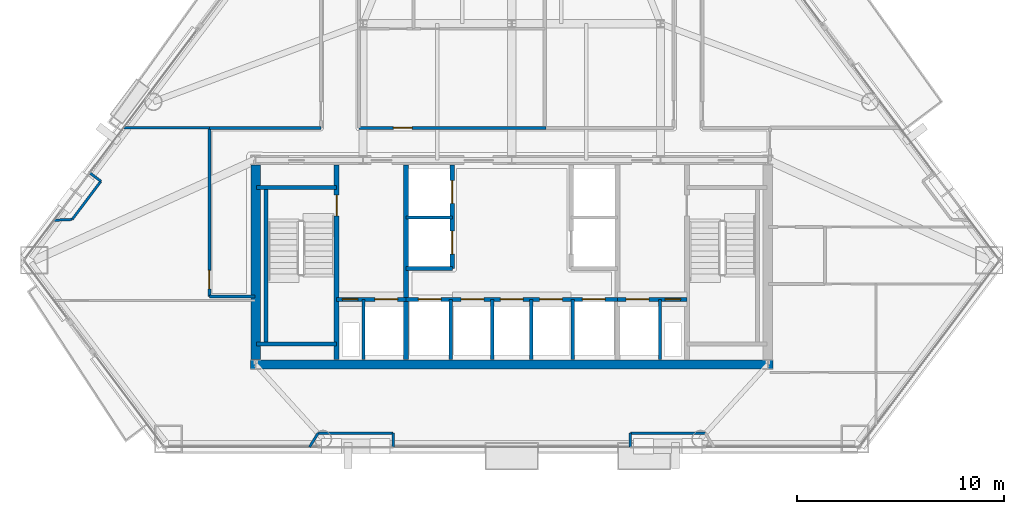
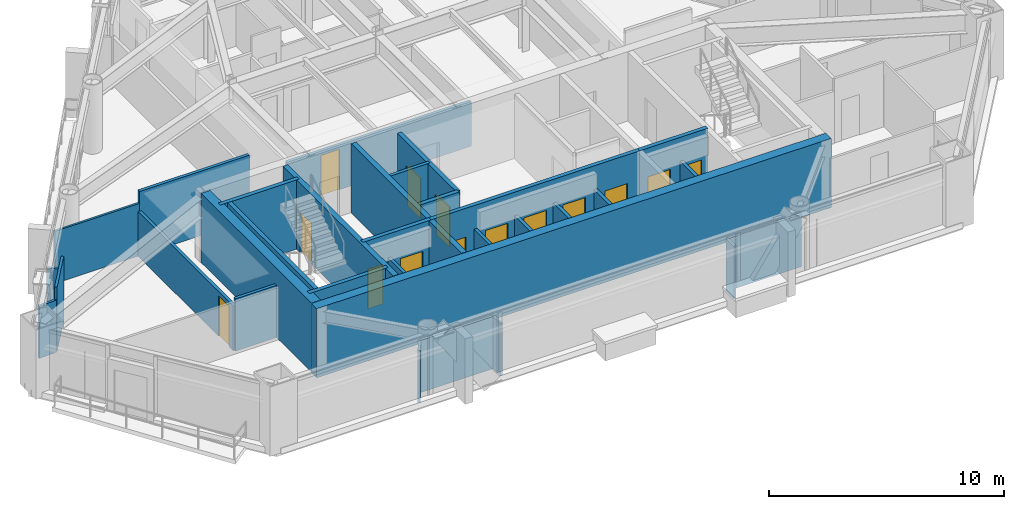
# One storey, part 6 of 10: 32 walls, 14 doors, 14 openings.
"""IFC4 building model written with IfcOpenShell, lengths in metres."""

from ifc_helpers import new_model, si_unit, direction, frame, frame_2d, origin, place, context, subcontext, project, spatial, rectangle, extrude, material, layer, layer_set, type_object, element, fill, save


model = new_model("IFC4")

# Units and contexts
model_context = context("Model", 3, precision=1e-05, world=origin(), true_north=direction((0.0, 1.0)))
body_context = subcontext(model_context, "Body", "Model", "MODEL_VIEW")
ifc_project = project(units=[si_unit("LENGTHUNIT", "METRE"), si_unit("AREAUNIT", "SQUARE_METRE"), si_unit("VOLUMEUNIT", "CUBIC_METRE"), si_unit("PLANEANGLEUNIT", "RADIAN"), si_unit("MASSUNIT", "GRAM", prefix="KILO")], contexts=[model_context])

# Site, building, storey
site_placement = place(None, origin())
site = spatial("IfcSite", under=ifc_project, at=site_placement, CompositionType="ELEMENT")
building_placement = place(site_placement, origin())
building = spatial("IfcBuilding", under=site, at=building_placement, Name="Talgorran Terracotta Tower", CompositionType="ELEMENT")
storey_placement = place(building_placement, frame((0.0, 0.0, 82.800048828125)))
storey = spatial("IfcBuildingStorey", under=building, at=storey_placement, Name="L21", CompositionType="ELEMENT", Elevation=82.800048828125)

# Walls
ifc_material_1 = material(Name="Concrete C50/60", Category="concrete")
ifc_layer_1 = layer(ifc_material_1, 0.199951171875, Name="WT_CORE_200")
ifc_layer_set_1 = layer_set([ifc_layer_1], Name="Concrete C50/60")
wall_type_1 = type_object("IfcWallType", Name="WT_CORE_200", PredefinedType="SOLIDWALL", material=ifc_layer_set_1)
for number, where, z_axis, x_axis, name in (
    (1, (-12.35009765625, -5.52001953125, 0.0), (0.0, 0.0, 1.0), (1.0, 0.0, 0.0), "WL-L21-CW-ST1-N"),
    (2, (-12.35009765625, -13.10009765625, 0.0), (0.0, 0.0, 1.0), (1.0, 0.0, 0.0), "WL-L21-CW-ST1-S"),
):
    element("IfcWall", number, at=place(storey_placement, frame(where, z_axis=z_axis, x_axis=x_axis)), inside=storey, type_object=wall_type_1, Name=name, PredefinedType="SOLIDWALL", context=body_context, shape_type="SweptSolid", body=[
        extrude(rectangle(XDim=3.8701171875, YDim=0.199951171875, at=frame_2d((1.93505859375, 0.0))), origin(), (0.0, 0.0, 1.0), 3.599853515625),
    ])
wall_1_placement = place(storey_placement, frame((-11.89990234375, -13.10009765625, 0.0), z_axis=(0.0, 0.0, 1.0), x_axis=(0.0, 1.0, 0.0)))
element("IfcWall", 3, at=wall_1_placement, inside=storey, type_object=wall_type_1, Name="WL-L21-CW-ST1-W", PredefinedType="SOLIDWALL", context=body_context, shape_type="SweptSolid", body=[
    extrude(rectangle(XDim=7.580078125, YDim=0.199951171875, at=frame_2d((3.7900390625, 0.0))), origin(), (0.0, 0.0, 1.0), 3.599853515625),
])

# Wall, openings, doors
wall_2_placement = place(storey_placement, frame((-8.47998046875, -10.949951171875, 0.0), z_axis=(0.0, 0.0, 1.0), x_axis=(1.0, 0.0, 0.0)))
wall_2 = element("IfcWall", 4, at=wall_2_placement, inside=storey, type_object=wall_type_1, Name="WL-L21-CW-H-SBW", PredefinedType="SOLIDWALL", context=body_context, shape_type="SweptSolid", body=[
    extrude(rectangle(XDim=3.35986328125, YDim=0.199951171875, at=frame_2d((1.679931640625, 0.0))), origin(), (0.0, 0.0, 1.0), 3.599853515625),
])
opening_1_placement = place(wall_2_placement, frame((0.280029296875, 0.0, 0.0)))
opening_1 = element("IfcOpeningElement", 5, at=opening_1_placement, cuts=wall_2, Name="Opening DR-RSW", PredefinedType="OPENING", context=body_context, shape_type="SweptSolid", body=[
    extrude(rectangle(XDim=0.756, YDim=2.054048828125, at=frame_2d((0.375, 1.027099609375))), frame((0.0, 0.10986328125, 0.0), z_axis=(0.0, -1.0, 0.0), x_axis=(1.0, 0.0, 0.0)), (0.0, 0.0, 1.0), 0.219970703125),
])
opening_2_placement = place(wall_2_placement, frame((1.85009765625, 0.0, 0.0)))
opening_2 = element("IfcOpeningElement", 6, at=opening_2_placement, cuts=wall_2, Name="Opening LD-FFL1", PredefinedType="OPENING", context=body_context, shape_type="SweptSolid", body=[
    extrude(rectangle(XDim=1.10609765625, YDim=2.10409765625, at=frame_2d((0.550048828125, 1.052001953125))), frame((0.0, 0.10986328125, 0.0), z_axis=(0.0, -1.0, 0.0), x_axis=(1.0, 0.0, 0.0)), (0.0, 0.0, 1.0), 0.219970703125),
])
ifc_material_2 = material(Name="Brushed Stainless Steel Grade 304", Category="steel")
door_type_1 = type_object("IfcDoorType", Name="DT_LIFT_LD1100", OperationType="DOUBLE_DOOR_SLIDING", PredefinedType="DOOR", material=ifc_material_2)
door_1_placement = place(opening_2_placement, origin())
door_1 = element("IfcDoor", 7, at=door_1_placement, inside=storey, type_object=door_type_1, Name="L21 Lift Landing Door LD-FFL1", OperationType="DOUBLE_DOOR_SLIDING", OverallHeight=2.10009765625, OverallWidth=1.10009765625, PredefinedType="DOOR", context=body_context, shape_type="SweptSolid", body=[
    extrude(rectangle(XDim=1.10009765625, YDim=2.10009765625, at=frame_2d((0.550048828125, 1.050048828125))), frame((0.0, 0.02490234375, 0.0), z_axis=(0.0, -1.0, 0.0), x_axis=(1.0, 0.0, 0.0)), (0.0, 0.0, 1.0), 0.050048828125),
])
fill(opening_2, door_1)
ifc_material_3 = material(Name="Fire-Rated Pressed Steel", Category="steel")
door_type_2 = type_object("IfcDoorType", Name="DT_RISER_750", OperationType="NOTDEFINED", PredefinedType="DOOR", material=ifc_material_3)
door_2_placement = place(opening_1_placement, origin())
door_2 = element("IfcDoor", 8, at=door_2_placement, inside=storey, type_object=door_type_2, Name="DR-RSW", OperationType="SINGLE_SWING_LEFT", OverallHeight=2.050048828125, OverallWidth=0.75, PredefinedType="DOOR", context=body_context, shape_type="SweptSolid", body=[
    extrude(rectangle(XDim=0.75, YDim=2.050048828125, at=frame_2d((0.375, 1.02490234375))), frame((0.0, 0.02490234375, 0.0), z_axis=(0.0, -1.0, 0.0), x_axis=(1.0, 0.0, 0.0)), (0.0, 0.0, 1.0), 0.050048828125),
])
fill(opening_1, door_2)

wall_3_placement = place(storey_placement, frame((-5.1201171875, -10.949951171875, 0.0), z_axis=(0.0, 0.0, 1.0), x_axis=(1.0, 0.0, 0.0)))
wall_3 = element("IfcWall", 9, at=wall_3_placement, inside=storey, type_object=wall_type_1, Name="WL-L21-CW-H-SBC", PredefinedType="SOLIDWALL", context=body_context, shape_type="SweptSolid", body=[
    extrude(rectangle(XDim=10.240234375, YDim=0.199951171875, at=frame_2d((5.1201171875, 0.0))), origin(), (0.0, 0.0, 1.0), 3.599853515625),
])
opening_3_placement = place(wall_3_placement, frame((0.60009765625, 0.0, 0.0)))
opening_3 = element("IfcOpeningElement", 10, at=opening_3_placement, cuts=wall_3, Name="Opening LD-OB1", PredefinedType="OPENING", context=body_context, shape_type="SweptSolid", body=[
    extrude(rectangle(XDim=1.10609765625, YDim=2.10409765625, at=frame_2d((0.550048828125, 1.052001953125))), frame((0.0, 0.10986328125, 0.0), z_axis=(0.0, -1.0, 0.0), x_axis=(1.0, 0.0, 0.0)), (0.0, 0.0, 1.0), 0.219970703125),
])
opening_4_placement = place(wall_3_placement, frame((2.669921875, 0.0, 0.0)))
opening_4 = element("IfcOpeningElement", 11, at=opening_4_placement, cuts=wall_3, Name="Opening LD-PLH1", PredefinedType="OPENING", context=body_context, shape_type="SweptSolid", body=[
    extrude(rectangle(XDim=1.10609765625, YDim=2.10409765625, at=frame_2d((0.550048828125, 1.052001953125))), frame((0.0, 0.10986328125, 0.0), z_axis=(0.0, -1.0, 0.0), x_axis=(1.0, 0.0, 0.0)), (0.0, 0.0, 1.0), 0.219970703125),
])
opening_5_placement = place(wall_3_placement, frame((4.570068359375, 0.0, 0.0)))
opening_5 = element("IfcOpeningElement", 12, at=opening_5_placement, cuts=wall_3, Name="Opening LD-PLH2", PredefinedType="OPENING", context=body_context, shape_type="SweptSolid", body=[
    extrude(rectangle(XDim=1.10609765625, YDim=2.10409765625, at=frame_2d((0.550048828125, 1.052001953125))), frame((0.0, 0.10986328125, 0.0), z_axis=(0.0, -1.0, 0.0), x_axis=(1.0, 0.0, 0.0)), (0.0, 0.0, 1.0), 0.219970703125),
])
opening_6_placement = place(wall_3_placement, frame((6.469970703125, 0.0, 0.0)))
opening_6 = element("IfcOpeningElement", 13, at=opening_6_placement, cuts=wall_3, Name="Opening LD-PLH3", PredefinedType="OPENING", context=body_context, shape_type="SweptSolid", body=[
    extrude(rectangle(XDim=1.10609765625, YDim=2.10409765625, at=frame_2d((0.550048828125, 1.052001953125))), frame((0.0, 0.10986328125, 0.0), z_axis=(0.0, -1.0, 0.0), x_axis=(1.0, 0.0, 0.0)), (0.0, 0.0, 1.0), 0.219970703125),
])
opening_7_placement = place(wall_3_placement, frame((8.5400390625, 0.0, 0.0)))
opening_7 = element("IfcOpeningElement", 14, at=opening_7_placement, cuts=wall_3, Name="Opening LD-SVL1", PredefinedType="OPENING", context=body_context, shape_type="SweptSolid", body=[
    extrude(rectangle(XDim=1.10609765625, YDim=2.10409765625, at=frame_2d((0.550048828125, 1.052001953125))), frame((0.0, 0.10986328125, 0.0), z_axis=(0.0, -1.0, 0.0), x_axis=(1.0, 0.0, 0.0)), (0.0, 0.0, 1.0), 0.219970703125),
])
door_3_placement = place(opening_3_placement, origin())
door_3 = element("IfcDoor", 15, at=door_3_placement, inside=storey, type_object=door_type_1, Name="L21 Lift Landing Door LD-OB1", OperationType="DOUBLE_DOOR_SLIDING", OverallHeight=2.10009765625, OverallWidth=1.10009765625, PredefinedType="DOOR", context=body_context, shape_type="SweptSolid", body=[
    extrude(rectangle(XDim=1.10009765625, YDim=2.10009765625, at=frame_2d((0.550048828125, 1.050048828125))), frame((0.0, 0.02490234375, 0.0), z_axis=(0.0, -1.0, 0.0), x_axis=(1.0, 0.0, 0.0)), (0.0, 0.0, 1.0), 0.050048828125),
])
fill(opening_3, door_3)
door_4_placement = place(opening_4_placement, origin())
door_4 = element("IfcDoor", 16, at=door_4_placement, inside=storey, type_object=door_type_1, Name="L21 Lift Landing Door LD-PLH1", OperationType="DOUBLE_DOOR_SLIDING", OverallHeight=2.10009765625, OverallWidth=1.10009765625, PredefinedType="DOOR", context=body_context, shape_type="SweptSolid", body=[
    extrude(rectangle(XDim=1.10009765625, YDim=2.10009765625, at=frame_2d((0.550048828125, 1.050048828125))), frame((0.0, 0.02490234375, 0.0), z_axis=(0.0, -1.0, 0.0), x_axis=(1.0, 0.0, 0.0)), (0.0, 0.0, 1.0), 0.050048828125),
])
fill(opening_4, door_4)
door_5_placement = place(opening_5_placement, origin())
door_5 = element("IfcDoor", 17, at=door_5_placement, inside=storey, type_object=door_type_1, Name="L21 Lift Landing Door LD-PLH2", OperationType="DOUBLE_DOOR_SLIDING", OverallHeight=2.10009765625, OverallWidth=1.10009765625, PredefinedType="DOOR", context=body_context, shape_type="SweptSolid", body=[
    extrude(rectangle(XDim=1.10009765625, YDim=2.10009765625, at=frame_2d((0.550048828125, 1.050048828125))), frame((0.0, 0.02490234375, 0.0), z_axis=(0.0, -1.0, 0.0), x_axis=(1.0, 0.0, 0.0)), (0.0, 0.0, 1.0), 0.050048828125),
])
fill(opening_5, door_5)
door_6_placement = place(opening_6_placement, origin())
door_6 = element("IfcDoor", 18, at=door_6_placement, inside=storey, type_object=door_type_1, Name="L21 Lift Landing Door LD-PLH3", OperationType="DOUBLE_DOOR_SLIDING", OverallHeight=2.10009765625, OverallWidth=1.10009765625, PredefinedType="DOOR", context=body_context, shape_type="SweptSolid", body=[
    extrude(rectangle(XDim=1.10009765625, YDim=2.10009765625, at=frame_2d((0.550048828125, 1.050048828125))), frame((0.0, 0.02490234375, 0.0), z_axis=(0.0, -1.0, 0.0), x_axis=(1.0, 0.0, 0.0)), (0.0, 0.0, 1.0), 0.050048828125),
])
fill(opening_6, door_6)
door_7_placement = place(opening_7_placement, origin())
door_7 = element("IfcDoor", 19, at=door_7_placement, inside=storey, type_object=door_type_1, Name="L21 Lift Landing Door LD-SVL1", OperationType="DOUBLE_DOOR_SLIDING", OverallHeight=2.10009765625, OverallWidth=1.10009765625, PredefinedType="DOOR", context=body_context, shape_type="SweptSolid", body=[
    extrude(rectangle(XDim=1.10009765625, YDim=2.10009765625, at=frame_2d((0.550048828125, 1.050048828125))), frame((0.0, 0.02490234375, 0.0), z_axis=(0.0, -1.0, 0.0), x_axis=(1.0, 0.0, 0.0)), (0.0, 0.0, 1.0), 0.050048828125),
])
fill(opening_7, door_7)

wall_4_placement = place(storey_placement, frame((5.1201171875, -10.949951171875, 0.0), z_axis=(0.0, 0.0, 1.0), x_axis=(1.0, 0.0, 0.0)))
wall_4 = element("IfcWall", 20, at=wall_4_placement, inside=storey, type_object=wall_type_1, Name="WL-L21-CW-H-SBE", PredefinedType="SOLIDWALL", context=body_context, shape_type="SweptSolid", body=[
    extrude(rectangle(XDim=3.35986328125, YDim=0.199951171875, at=frame_2d((1.679931640625, 0.0))), origin(), (0.0, 0.0, 1.0), 3.599853515625),
])
opening_8_placement = place(wall_4_placement, frame((0.419921875, 0.0, 0.0)))
opening_8 = element("IfcOpeningElement", 21, at=opening_8_placement, cuts=wall_4, Name="Opening LD-FFL2", PredefinedType="OPENING", context=body_context, shape_type="SweptSolid", body=[
    extrude(rectangle(XDim=1.10609765625, YDim=2.10409765625, at=frame_2d((0.550048828125, 1.052001953125))), frame((0.0, 0.10986328125, 0.0), z_axis=(0.0, -1.0, 0.0), x_axis=(1.0, 0.0, 0.0)), (0.0, 0.0, 1.0), 0.219970703125),
])
opening_9_placement = place(wall_4_placement, frame((2.300048828125, 0.0, 0.0)))
opening_9 = element("IfcOpeningElement", 22, at=opening_9_placement, cuts=wall_4, Name="Opening DR-RSE", PredefinedType="OPENING", context=body_context, shape_type="SweptSolid", body=[
    extrude(rectangle(XDim=0.756, YDim=2.054048828125, at=frame_2d((0.375, 1.027099609375))), frame((0.0, 0.10986328125, 0.0), z_axis=(0.0, -1.0, 0.0), x_axis=(1.0, 0.0, 0.0)), (0.0, 0.0, 1.0), 0.219970703125),
])
door_8_placement = place(opening_8_placement, origin())
door_8 = element("IfcDoor", 23, at=door_8_placement, inside=storey, type_object=door_type_1, Name="L21 Lift Landing Door LD-FFL2", OperationType="DOUBLE_DOOR_SLIDING", OverallHeight=2.10009765625, OverallWidth=1.10009765625, PredefinedType="DOOR", context=body_context, shape_type="SweptSolid", body=[
    extrude(rectangle(XDim=1.10009765625, YDim=2.10009765625, at=frame_2d((0.550048828125, 1.050048828125))), frame((0.0, 0.02490234375, 0.0), z_axis=(0.0, -1.0, 0.0), x_axis=(1.0, 0.0, 0.0)), (0.0, 0.0, 1.0), 0.050048828125),
])
fill(opening_8, door_8)
door_9_placement = place(opening_9_placement, origin())
door_9 = element("IfcDoor", 24, at=door_9_placement, inside=storey, type_object=door_type_2, Name="DR-RSE", OperationType="SINGLE_SWING_RIGHT", OverallHeight=2.050048828125, OverallWidth=0.75, PredefinedType="DOOR", context=body_context, shape_type="SweptSolid", body=[
    extrude(rectangle(XDim=0.75, YDim=2.050048828125, at=frame_2d((0.375, 1.02490234375))), frame((0.0, 0.02490234375, 0.0), z_axis=(0.0, -1.0, 0.0), x_axis=(1.0, 0.0, 0.0)), (0.0, 0.0, 1.0), 0.050048828125),
])
fill(opening_9, door_9)

wall_5_placement = place(storey_placement, frame((-2.8798828125, -9.449951171875, 0.0), z_axis=(0.0, 0.0, 1.0), x_axis=(0.0, 1.0, 0.0)))
wall_5 = element("IfcWall", 25, at=wall_5_placement, inside=storey, type_object=wall_type_1, Name="WL-L21-CW-V-W3", PredefinedType="SOLIDWALL", context=body_context, shape_type="SweptSolid", body=[
    extrude(rectangle(XDim=5.0, YDim=0.199951171875, at=frame_2d((2.5, 0.0))), origin(), (0.0, 0.0, 1.0), 3.349853515625),
])
opening_10_placement = place(wall_5_placement, frame((0.699951171875, 0.0, 0.0)))
opening_10 = element("IfcOpeningElement", 26, at=opening_10_placement, cuts=wall_5, Name="Opening LD-PLL1", PredefinedType="OPENING", context=body_context, shape_type="SweptSolid", body=[
    extrude(rectangle(XDim=1.10609765625, YDim=2.10409765625, at=frame_2d((0.550048828125, 1.052001953125))), frame((0.0, 0.10986328125, 0.0), z_axis=(0.0, -1.0, 0.0), x_axis=(1.0, 0.0, 0.0)), (0.0, 0.0, 1.0), 0.219970703125),
])
opening_11_placement = place(wall_5_placement, frame((3.14990234375, 0.0, 0.0)))
opening_11 = element("IfcOpeningElement", 27, at=opening_11_placement, cuts=wall_5, Name="Opening LD-PLL2", PredefinedType="OPENING", context=body_context, shape_type="SweptSolid", body=[
    extrude(rectangle(XDim=1.10609765625, YDim=2.10409765625, at=frame_2d((0.550048828125, 1.052001953125))), frame((0.0, 0.10986328125, 0.0), z_axis=(0.0, -1.0, 0.0), x_axis=(1.0, 0.0, 0.0)), (0.0, 0.0, 1.0), 0.219970703125),
])
door_10_placement = place(opening_10_placement, origin())
door_10 = element("IfcDoor", 28, at=door_10_placement, inside=storey, type_object=door_type_1, Name="L21 Lift Landing Door LD-PLL1", OperationType="DOUBLE_DOOR_SLIDING", OverallHeight=2.10009765625, OverallWidth=1.10009765625, PredefinedType="DOOR", context=body_context, shape_type="SweptSolid", body=[
    extrude(rectangle(XDim=1.10009765625, YDim=2.10009765625, at=frame_2d((0.550048828125, 1.050048828125))), frame((0.0, 0.02490234375, 0.0), z_axis=(0.0, -1.0, 0.0), x_axis=(1.0, 0.0, 0.0)), (0.0, 0.0, 1.0), 0.050048828125),
])
fill(opening_10, door_10)
door_11_placement = place(opening_11_placement, origin())
door_11 = element("IfcDoor", 29, at=door_11_placement, inside=storey, type_object=door_type_1, Name="L21 Lift Landing Door LD-PLL2", OperationType="DOUBLE_DOOR_SLIDING", OverallHeight=2.10009765625, OverallWidth=1.10009765625, PredefinedType="DOOR", context=body_context, shape_type="SweptSolid", body=[
    extrude(rectangle(XDim=1.10009765625, YDim=2.10009765625, at=frame_2d((0.550048828125, 1.050048828125))), frame((0.0, 0.02490234375, 0.0), z_axis=(0.0, -1.0, 0.0), x_axis=(1.0, 0.0, 0.0)), (0.0, 0.0, 1.0), 0.050048828125),
])
fill(opening_11, door_11)

# Wall
wall_6_placement = place(storey_placement, frame((-5.1201171875, -9.449951171875, 0.0), z_axis=(0.0, 0.0, 1.0), x_axis=(1.0, 0.0, 0.0)))
element("IfcWall", 30, at=wall_6_placement, inside=storey, type_object=wall_type_1, Name="WL-L21-CW-H-W4", PredefinedType="SOLIDWALL", context=body_context, shape_type="SweptSolid", body=[
    extrude(rectangle(XDim=2.240234375, YDim=0.199951171875, at=frame_2d((1.1201171875, 0.0))), origin(), (0.0, 0.0, 1.0), 3.349853515625),
])

# Wall, opening, door
ifc_layer_2 = layer(ifc_material_1, 0.25, Name="WT_CORE_250")
ifc_layer_set_2 = layer_set([ifc_layer_2], Name="Concrete C50/60")
wall_type_2 = type_object("IfcWallType", Name="WT_CORE_250", PredefinedType="SHEAR", material=ifc_layer_set_2)
wall_7_placement = place(storey_placement, frame((-8.47998046875, -13.85009765625, 0.0), z_axis=(0.0, 0.0, 1.0), x_axis=(0.0, 1.0, 0.0)))
wall_7 = element("IfcWall", 31, at=wall_7_placement, inside=storey, type_object=wall_type_2, Name="WL-L21-CW-V-W1", PredefinedType="SHEAR", context=body_context, shape_type="SweptSolid", body=[
    extrude(rectangle(XDim=9.400146484375, YDim=0.25, at=frame_2d((4.7001953125, 0.0))), origin(), (0.0, 0.0, 1.0), 3.599853515625),
])
opening_12_placement = place(wall_7_placement, frame((6.949951171875, 0.0, 0.0)))
opening_12 = element("IfcOpeningElement", 32, at=opening_12_placement, cuts=wall_7, Name="Opening DR-ST01", PredefinedType="OPENING", context=body_context, shape_type="SweptSolid", body=[
    extrude(rectangle(XDim=1.006, YDim=2.10409765625, at=frame_2d((0.5, 1.052001953125))), frame((0.0, 0.135009765625, 0.0), z_axis=(0.0, -1.0, 0.0), x_axis=(1.0, 0.0, 0.0)), (0.0, 0.0, 1.0), 0.27001953125),
])
door_type_3 = type_object("IfcDoorType", Name="DT_FIRE_1000", OperationType="NOTDEFINED", PredefinedType="DOOR", material=ifc_material_3)
door_12_placement = place(opening_12_placement, origin())
door_12 = element("IfcDoor", 33, at=door_12_placement, inside=storey, type_object=door_type_3, Name="DR-ST01", OperationType="SINGLE_SWING_LEFT", OverallHeight=2.10009765625, OverallWidth=1.0, PredefinedType="DOOR", context=body_context, shape_type="SweptSolid", body=[
    extrude(rectangle(XDim=1.0, YDim=2.10009765625, at=frame_2d((0.5, 1.050048828125))), frame((0.0, 0.02490234375, 0.0), z_axis=(0.0, -1.0, 0.0), x_axis=(1.0, 0.0, 0.0)), (0.0, 0.0, 1.0), 0.050048828125),
])
fill(opening_12, door_12)

# Walls
wall_8_placement = place(storey_placement, frame((-5.1201171875, -13.85009765625, 0.0), z_axis=(0.0, 0.0, 1.0), x_axis=(0.0, 1.0, 0.0)))
element("IfcWall", 34, at=wall_8_placement, inside=storey, type_object=wall_type_2, Name="WL-L21-CW-V-W2", PredefinedType="SHEAR", context=body_context, shape_type="SweptSolid", body=[
    extrude(rectangle(XDim=9.400146484375, YDim=0.25, at=frame_2d((4.7001953125, 0.0))), origin(), (0.0, 0.0, 1.0), 3.599853515625),
])
ifc_material_4 = material(Name="Concrete C65/80", Category="concrete")
ifc_layer_3 = layer(ifc_material_4, 0.449951171875, Name="WT_CORE_EXT")
ifc_layer_set_3 = layer_set([ifc_layer_3], Name="Concrete C65/80")
wall_type_3 = type_object("IfcWallType", Name="WT_CORE_EXT", PredefinedType="SHEAR", material=ifc_layer_set_3)
wall_9_placement = place(storey_placement, frame((-12.64990234375, -14.10009765625, 0.0), z_axis=(0.0, 0.0, 1.0), x_axis=(1.0, 0.0, 0.0)))
element("IfcWall", 35, at=wall_9_placement, inside=storey, type_object=wall_type_3, Name="WL-L21-CW-OUT-S", PredefinedType="SHEAR", context=body_context, shape_type="SweptSolid", body=[
    extrude(rectangle(XDim=25.2998046875, YDim=0.449951171875, at=frame_2d((12.64990234375, 0.0))), origin(), (0.0, 0.0, 1.0), 3.599853515625),
])
wall_10_placement = place(storey_placement, frame((-12.39990234375, -13.85009765625, 0.0), z_axis=(0.0, 0.0, 1.0), x_axis=(0.0, 1.0, 0.0)))
element("IfcWall", 36, at=wall_10_placement, inside=storey, type_object=wall_type_3, Name="WL-L21-CW-OUT-W", PredefinedType="SHEAR", context=body_context, shape_type="SweptSolid", body=[
    extrude(rectangle(XDim=9.400146484375, YDim=0.449951171875, at=frame_2d((4.7001953125, 0.0))), origin(), (0.0, 0.0, 1.0), 3.599853515625),
])

# Wall, opening, door
ifc_material_5 = material(Name="Fire-Rated Steel Stud Plasterboard", Category="steel")
ifc_layer_4 = layer(ifc_material_5, 0.14990234375, Name="WT_FIRE_150")
ifc_layer_set_4 = layer_set([ifc_layer_4], Name="Fire-Rated Steel Stud Plasterboard")
wall_type_4 = type_object("IfcWallType", Name="WT_FIRE_150", PredefinedType="PARTITIONING", material=ifc_layer_set_4)
wall_11_placement = place(storey_placement, frame((-7.39990234375, -2.639892578125, 0.0), z_axis=(0.0, 0.0, 1.0), x_axis=(1.0, 0.0, 0.0)))
wall_11 = element("IfcWall", 37, at=wall_11_placement, inside=storey, type_object=wall_type_4, Name="WL-L21-W-L21-R07", PredefinedType="PARTITIONING", context=body_context, shape_type="SweptSolid", body=[
    extrude(rectangle(XDim=9.059814453125, YDim=0.14990234375, at=frame_2d((4.52978515625, 0.0))), origin(), (0.0, 0.0, 1.0), 2.324951171875),
])
opening_13_placement = place(wall_11_placement, frame((1.672119140625, 0.0, 0.0)))
opening_13 = element("IfcOpeningElement", 38, at=opening_13_placement, cuts=wall_11, Name="Opening DR-L21-R09", PredefinedType="OPENING", context=body_context, shape_type="SweptSolid", body=[
    extrude(rectangle(XDim=0.90590234375, YDim=2.10409765625, at=frame_2d((0.449951171875, 1.052001953125))), frame((0.0, 0.0849609375, 0.0), z_axis=(0.0, -1.0, 0.0), x_axis=(1.0, 0.0, 0.0)), (0.0, 0.0, 1.0), 0.169921875),
])
ifc_material_6 = material(Name="Fire-Rated Timber Core", Category="wood")
door_type_4 = type_object("IfcDoorType", Name="DT_FIRE_900", OperationType="NOTDEFINED", PredefinedType="DOOR", material=ifc_material_6)
door_13_placement = place(opening_13_placement, origin())
door_13 = element("IfcDoor", 39, at=door_13_placement, inside=storey, type_object=door_type_4, Name="DR-L21-R09", OperationType="SINGLE_SWING_LEFT", OverallHeight=2.10009765625, OverallWidth=0.89990234375, PredefinedType="DOOR", context=body_context, shape_type="SweptSolid", body=[
    extrude(rectangle(XDim=0.89990234375, YDim=2.10009765625, at=frame_2d((0.449951171875, 1.050048828125))), frame((0.0, 0.02490234375, 0.0), z_axis=(0.0, -1.0, 0.0), x_axis=(1.0, 0.0, 0.0)), (0.0, 0.0, 1.0), 0.050048828125),
])
fill(opening_13, door_13)

wall_12_placement = place(storey_placement, frame((-14.639892578125, -10.800048828125, 0.0), z_axis=(0.0, 0.0, 1.0), x_axis=(0.0, 1.0, 0.0)))
wall_12 = element("IfcWall", 40, at=wall_12_placement, inside=storey, type_object=wall_type_4, Name="WL-L21-W-L21-R01", PredefinedType="PARTITIONING", context=body_context, shape_type="SweptSolid", body=[
    extrude(rectangle(XDim=8.16015625, YDim=0.14990234375, at=frame_2d((4.080078125, 0.0))), origin(), (0.0, 0.0, 1.0), 2.324951171875),
])
opening_14_placement = place(wall_12_placement, frame((0.359375, 0.0, 0.0)))
opening_14 = element("IfcOpeningElement", 41, at=opening_14_placement, cuts=wall_12, Name="Opening DR-L21-R01", PredefinedType="OPENING", context=body_context, shape_type="SweptSolid", body=[
    extrude(rectangle(XDim=0.90590234375, YDim=2.10409765625, at=frame_2d((0.449951171875, 1.052001953125))), frame((0.0, 0.0849609375, 0.0), z_axis=(0.0, -1.0, 0.0), x_axis=(1.0, 0.0, 0.0)), (0.0, 0.0, 1.0), 0.169921875),
])
door_14_placement = place(opening_14_placement, origin())
door_14 = element("IfcDoor", 42, at=door_14_placement, inside=storey, type_object=door_type_4, Name="DR-L21-R01", OperationType="SINGLE_SWING_LEFT", OverallHeight=2.10009765625, OverallWidth=0.89990234375, PredefinedType="DOOR", context=body_context, shape_type="SweptSolid", body=[
    extrude(rectangle(XDim=0.89990234375, YDim=2.10009765625, at=frame_2d((0.449951171875, 1.050048828125))), frame((0.0, 0.02490234375, 0.0), z_axis=(0.0, -1.0, 0.0), x_axis=(1.0, 0.0, 0.0)), (0.0, 0.0, 1.0), 0.050048828125),
])
fill(opening_14, door_14)

# Walls
wall_13_placement = place(storey_placement, frame((-14.639892578125, -2.639892578125, 0.0), z_axis=(0.0, 0.0, 1.0), x_axis=(1.0, 0.0, 0.0)))
element("IfcWall", 43, at=wall_13_placement, inside=storey, type_object=wall_type_4, Name="WL-L21-W-L21-R04", PredefinedType="PARTITIONING", context=body_context, shape_type="SweptSolid", body=[
    extrude(rectangle(XDim=5.39990234375, YDim=0.14990234375, at=frame_2d((2.699951171875, 0.0))), origin(), (0.0, 0.0, 1.0), 3.349853515625),
])
wall_14_placement = place(storey_placement, frame((-14.639892578125, -10.800048828125, 0.0), z_axis=(0.0, 0.0, 1.0), x_axis=(1.0, 0.0, 0.0)))
element("IfcWall", 44, at=wall_14_placement, inside=storey, type_object=wall_type_4, Name="WL-L21-W-L21-R02", PredefinedType="PARTITIONING", context=body_context, shape_type="SweptSolid", body=[
    extrude(rectangle(XDim=2.199951171875, YDim=0.14990234375, at=frame_2d((1.10009765625, 0.0))), origin(), (0.0, 0.0, 1.0), 2.71337890625),
])
ifc_material_7 = material(Name="Lightweight Steel Stud Partition", Category="steel")
ifc_layer_5 = layer(ifc_material_7, 0.10498046875, Name="WT_PART_110")
ifc_layer_set_5 = layer_set([ifc_layer_5], Name="Lightweight Steel Stud Partition")
wall_type_5 = type_object("IfcWallType", Name="WT_PART_110", PredefinedType="PARTITIONING", material=ifc_layer_set_5)
wall_15_placement = place(storey_placement, frame((-18.798095703125, -2.639892578125, 0.0), z_axis=(0.0, 0.0, 1.0), x_axis=(1.0, 0.0, 0.0)))
element("IfcWall", 45, at=wall_15_placement, inside=storey, type_object=wall_type_5, Name="WL-L21-W-L21-R19", PredefinedType="PARTITIONING", context=body_context, shape_type="SweptSolid", body=[
    extrude(rectangle(XDim=4.158203125, YDim=0.10498046875, at=frame_2d((2.0791015625, 0.0))), origin(), (0.0, 0.0, 1.0), 2.71337890625),
])
ifc_material_8 = material(Name="Insulated Steel Stud Plasterboard", Category="steel")
ifc_layer_6 = layer(ifc_material_8, 0.1201171875, Name="WT_PART_120")
ifc_layer_set_6 = layer_set([ifc_layer_6], Name="Insulated Steel Stud Plasterboard")
wall_type_6 = type_object("IfcWallType", Name="WT_PART_120", PredefinedType="PARTITIONING", material=ifc_layer_set_6)
for number, where, z_axis, x_axis, name in (
    (46, (-9.37255859375, -17.422119140625, 0.0), (0.0, 0.0, 1.0), (1.0, 0.0, 0.0), "WL-L21-BW-L21-01"),
    (47, (5.741455078125, -17.422119140625, 0.0), (0.0, 0.0, 1.0), (1.0, 0.0, 0.0), "WL-L21-BW-L21-06"),
):
    element("IfcWall", number, at=place(storey_placement, frame(where, z_axis=z_axis, x_axis=x_axis)), inside=storey, type_object=wall_type_6, Name=name, PredefinedType="PARTITIONING", context=body_context, shape_type="SweptSolid", body=[
        extrude(rectangle(XDim=3.631103515625, YDim=0.1201171875, at=frame_2d((1.8154296875, 0.0))), origin(), (0.0, 0.0, 1.0), 2.71337890625),
    ])
wall_16_placement = place(storey_placement, frame((-19.892578125, -5.226806640625, 0.0), z_axis=(0.0, 0.0, 1.0), x_axis=(-0.600996618, -0.799251565624, 0.0)))
element("IfcWall", 48, at=wall_16_placement, inside=storey, type_object=wall_type_6, Name="WL-L21-BW-L21-08", PredefinedType="PARTITIONING", context=body_context, shape_type="SweptSolid", body=[
    extrude(rectangle(XDim=2.3115234375, YDim=0.1201171875, at=frame_2d((1.15576171875, 0.0))), origin(), (0.0, 0.0, 1.0), 3.349853515625),
])
wall_17_placement = place(storey_placement, frame((-21.28173828125, -7.07421875, 0.0), z_axis=(0.0, 0.0, 1.0), x_axis=(-0.998902149118, -0.046845453216, 0.0)))
element("IfcWall", 49, at=wall_17_placement, inside=storey, type_object=wall_type_6, Name="WL-L21-BW-L21-09", PredefinedType="PARTITIONING", context=body_context, shape_type="SweptSolid", body=[
    extrude(rectangle(XDim=0.870361328125, YDim=0.1201171875, at=frame_2d((0.43505859375, 0.0))), origin(), (0.0, 0.0, 1.0), 2.71337890625),
])
wall_18_placement = place(storey_placement, frame((-9.789794921875, -18.09228515625, 0.0), z_axis=(0.0, 0.0, 1.0), x_axis=(0.528524813, 0.848917853531, 0.0)))
element("IfcWall", 50, at=wall_18_placement, inside=storey, type_object=wall_type_6, Name="WL-L21-BW-L21-03", PredefinedType="PARTITIONING", context=body_context, shape_type="SweptSolid", body=[
    extrude(rectangle(XDim=0.78955078125, YDim=0.1201171875, at=frame_2d((0.394775390625, 0.0))), origin(), (0.0, 0.0, 1.0), 2.71337890625),
])
for number, where, z_axis, x_axis, name in (
    (51, (-5.741455078125, -17.422119140625, 0.0), (0.0, 0.0, 1.0), (0.0, -1.0, 0.0), "WL-L21-BW-L21-02"),
    (52, (5.741455078125, -18.09228515625, 0.0), (0.0, 0.0, 1.0), (0.0, 1.0, 0.0), "WL-L21-BW-L21-05"),
    (53, (-20.42822265625, -4.82421875, 0.0), (0.0, 0.0, 1.0), (0.799387472953, -0.600815835415, 0.0), "WL-L21-BW-L21-07"),
):
    element("IfcWall", number, at=place(storey_placement, frame(where, z_axis=z_axis, x_axis=x_axis)), inside=storey, type_object=wall_type_6, Name=name, PredefinedType="PARTITIONING", context=body_context, shape_type="SweptSolid", body=[
        extrude(rectangle(XDim=0.670166015625, YDim=0.1201171875, at=frame_2d((0.3349609375, 0.0))), origin(), (0.0, 0.0, 1.0), 2.71337890625),
    ])
ifc_material_9 = material(Name="Fire-Rated Shaftwall")
ifc_layer_7 = layer(ifc_material_9, 0.159912109375, Name="WT_PART_150")
ifc_layer_set_7 = layer_set([ifc_layer_7], Name="Fire-Rated Shaftwall")
wall_type_7 = type_object("IfcWallType", Name="WT_PART_150", PredefinedType="PARTITIONING", material=ifc_layer_set_7)
wall_19_placement = place(storey_placement, frame((-5.1201171875, -6.97998046875, 0.0), z_axis=(0.0, 0.0, 1.0), x_axis=(1.0, 0.0, 0.0)))
element("IfcWall", 54, at=wall_19_placement, inside=storey, type_object=wall_type_7, Name="WL-L21-CW-PLL-DIV", PredefinedType="PARTITIONING", context=body_context, shape_type="SweptSolid", body=[
    extrude(rectangle(XDim=2.240234375, YDim=0.159912109375, at=frame_2d((1.1201171875, 0.0))), origin(), (0.0, 0.0, 1.0), 3.349853515625),
])
for number, where, z_axis, x_axis, name in (
    (55, (-7.179931640625, -13.85009765625, 0.0), (0.0, 0.0, 1.0), (0.0, 1.0, 0.0), "WL-L21-CW-RSW"),
    (56, (7.179931640625, -13.85009765625, 0.0), (0.0, 0.0, 1.0), (0.0, 1.0, 0.0), "WL-L21-CW-RSE"),
    (57, (-2.949951171875, -13.85009765625, 0.0), (0.0, 0.0, 1.0), (0.0, 1.0, 0.0), "WL-L21-CW-OB-E"),
    (58, (2.949951171875, -13.85009765625, 0.0), (0.0, 0.0, 1.0), (0.0, 1.0, 0.0), "WL-L21-CW-SV-W"),
    (59, (-0.949951171875, -13.85009765625, 0.0), (0.0, 0.0, 1.0), (0.0, 1.0, 0.0), "WL-L21-CW-PLH-D1"),
    (60, (0.949951171875, -13.85009765625, 0.0), (0.0, 0.0, 1.0), (0.0, 1.0, 0.0), "WL-L21-CW-PLH-D2"),
):
    element("IfcWall", number, at=place(storey_placement, frame(where, z_axis=z_axis, x_axis=x_axis)), inside=storey, type_object=wall_type_7, Name=name, PredefinedType="PARTITIONING", context=body_context, shape_type="SweptSolid", body=[
        extrude(rectangle(XDim=2.900146484375, YDim=0.159912109375, at=frame_2d((1.4501953125, 0.0))), origin(), (0.0, 0.0, 1.0), 2.375),
    ])

save(model, "model.ifc")
